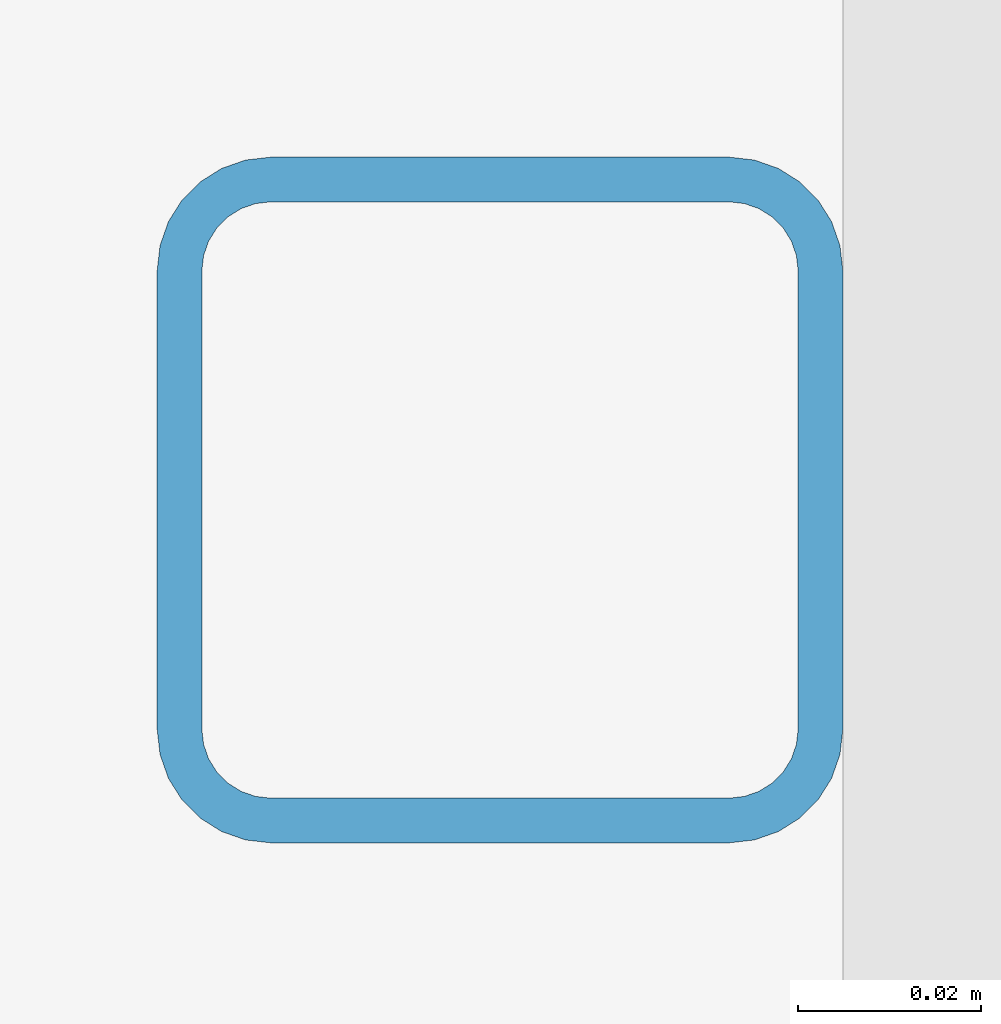
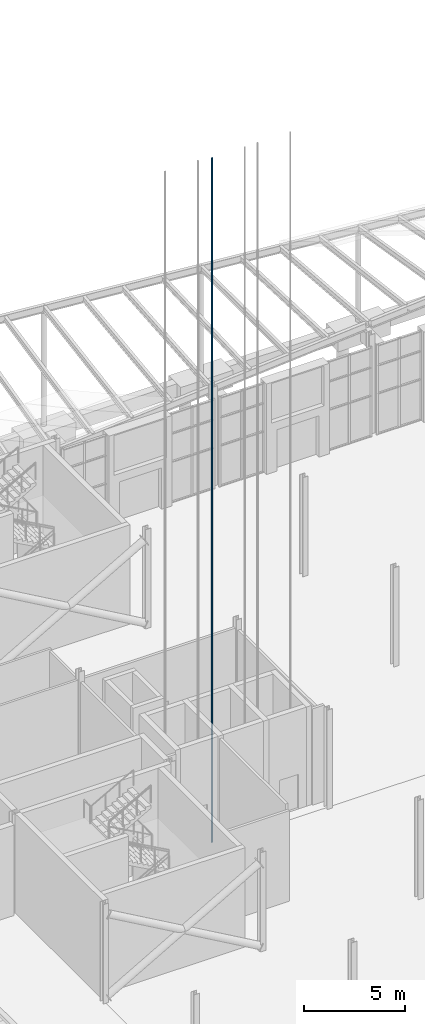
# One storey, part 57 of 139: 1 member.
"""IFC4 building model written with IfcOpenShell, lengths in metres."""

from ifc_helpers import new_model, si_unit, direction, frame, origin, origin_2d, place, context, subcontext, project, spatial, hollow_rectangle, extrude, material, material_profile, profile_set, type_object, element, save


model = new_model("IFC4")

# Units and contexts
model_context = context("Model", 3, precision=1e-05, world=origin(), true_north=direction((0.0, 1.0)))
body_context = subcontext(model_context, "Body", "Model", "MODEL_VIEW")
ifc_project = project(units=[si_unit("LENGTHUNIT", "METRE"), si_unit("AREAUNIT", "SQUARE_METRE"), si_unit("VOLUMEUNIT", "CUBIC_METRE"), si_unit("PLANEANGLEUNIT", "RADIAN"), si_unit("MASSUNIT", "GRAM", prefix="KILO")], contexts=[model_context])

# Site, building, storey
site_placement = place(None, origin())
site = spatial("IfcSite", under=ifc_project, at=site_placement, CompositionType="ELEMENT")
building_placement = place(site_placement, origin())
building = spatial("IfcBuilding", under=site, at=building_placement, Name="Shorebreak Coast Museum", CompositionType="ELEMENT")
storey_placement = place(building_placement, origin())
storey = spatial("IfcBuildingStorey", under=building, at=storey_placement, Name="L00", CompositionType="ELEMENT", Elevation=0.0)

# Member
ifc_material = material(Name="Steel Grade C450L0", Category="steel")
ifc_material_profile = material_profile(ifc_material, hollow_rectangle(XDim=0.074951171875, YDim=0.074951171875, WallThickness=0.0048828125, InnerFilletRadius=0.007568359375, OuterFilletRadius=0.012451171875, at=origin_2d()), Name="75x75x5.0 SHS")
ifc_profile_set = profile_set([ifc_material_profile], Name="Steel Grade C450L0")
member_type = type_object("IfcMemberType", Name="Lift guide rail 75x75x5.0 SHS", PredefinedType="POST", material=ifc_profile_set)
member_placement = place(storey_placement, frame((66.5625, 92.10009765625, -1.5), z_axis=(0.0, 0.0, 1.0), x_axis=(1.0, 0.0, 0.0)))
element("IfcMember", 1, at=member_placement, inside=storey, type_object=member_type, Name="Lift P1 guide rail", PredefinedType="POST", context=body_context, shape_type="SweptSolid", body=[
    extrude(hollow_rectangle(XDim=0.074951171875, YDim=0.074951171875, WallThickness=0.0048828125, InnerFilletRadius=0.007568359375, OuterFilletRadius=0.012451171875, at=origin_2d()), origin(), (0.0, 0.0, 1.0), 41.39990234375),
])

save(model, "model.ifc")
